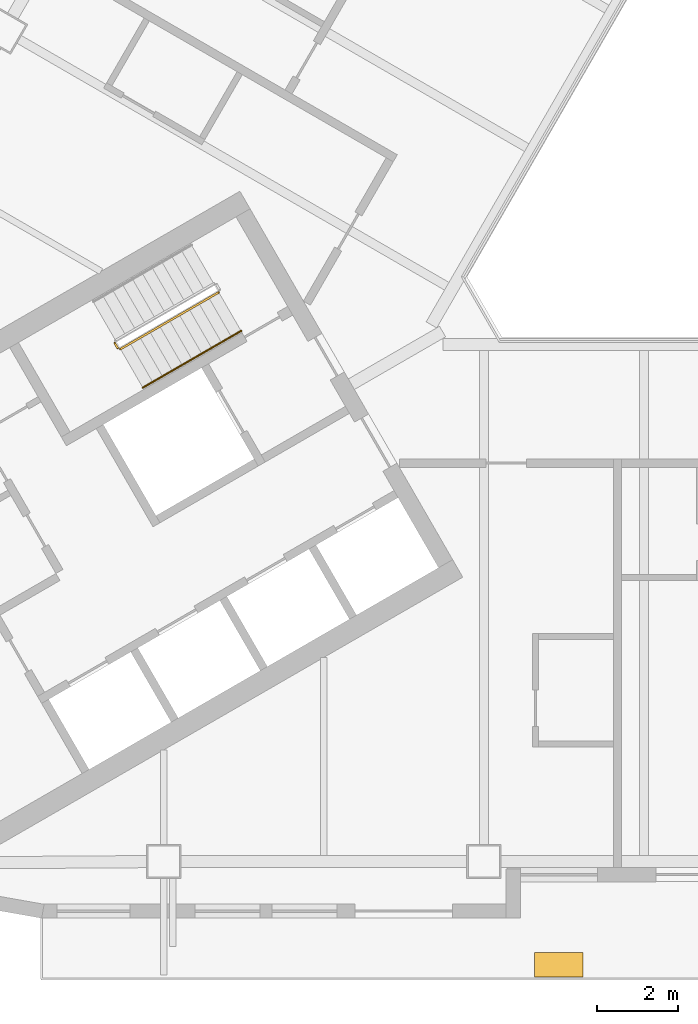
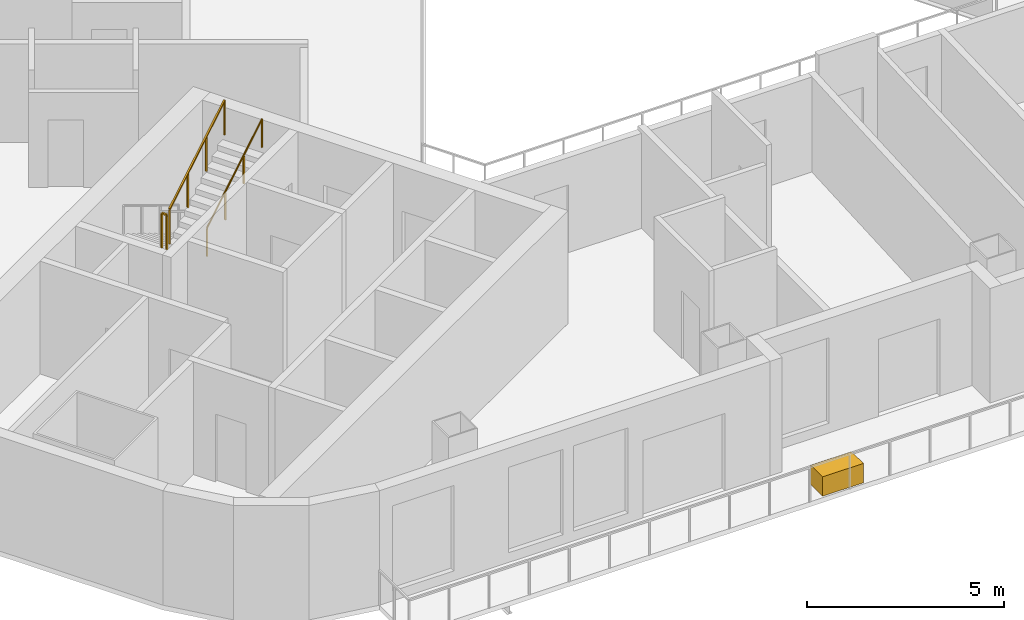
# One storey, part 9 of 14: 3 railings, 1 covering.
"""IFC4 building model written with IfcOpenShell, lengths in metres."""

from ifc_helpers import new_model, si_unit, direction, frame, origin, origin_2d, place, context, subcontext, project, spatial, rectangle, circle, extrude, material, type_object, element, save


model = new_model("IFC4")

# Units and contexts
model_context = context("Model", 3, precision=1e-05, world=origin(), true_north=direction((0.0, 1.0)))
body_context = subcontext(model_context, "Body", "Model", "MODEL_VIEW")
ifc_project = project(units=[si_unit("LENGTHUNIT", "METRE"), si_unit("AREAUNIT", "SQUARE_METRE"), si_unit("VOLUMEUNIT", "CUBIC_METRE"), si_unit("PLANEANGLEUNIT", "RADIAN"), si_unit("MASSUNIT", "GRAM", prefix="KILO")], contexts=[model_context])

# Site, building, storey
site_placement = place(None, origin())
site = spatial("IfcSite", under=ifc_project, at=site_placement, CompositionType="ELEMENT")
building_placement = place(site_placement, origin())
building = spatial("IfcBuilding", under=site, at=building_placement, Name="Apuvela Tower Hotel", CompositionType="ELEMENT")
storey_placement = place(building_placement, frame((0.0, 0.0, 157.699951171875)))
storey = spatial("IfcBuildingStorey", under=building, at=storey_placement, Name="L37", CompositionType="ELEMENT", Elevation=157.699951171875)

# Railings
ifc_material_1 = material(Name="Steel S275 balustrade", Category="steel")
railing_type_1 = type_object("IfcRailingType", Name="COR-GUARD-1100", PredefinedType="GUARDRAIL", material=ifc_material_1)
railing_1_placement = place(storey_placement, frame((-17.01220703125, -5.43408203125, 1.85009765625)))
element("IfcRailing", 1, at=railing_1_placement, inside=storey, type_object=railing_type_1, Name="L37 ST2 stair guard 2", PredefinedType="GUARDRAIL", context=body_context, shape_type="SweptSolid", body=[
    extrude(rectangle(XDim=0.048095703125, YDim=0.048095703125, at=origin_2d()), frame((0.0, 0.0, 1.076171875), z_axis=(0.499816412211, -0.866131372301, 0.0), x_axis=(0.866131372301, 0.499816412211, 0.0)), (0.0, 0.0, 1.0), 0.14990234375),
    extrude(rectangle(XDim=0.0419921875, YDim=0.0419921875, at=origin_2d()), origin(), (0.0, 0.0, 1.0), 1.052001953125),
    extrude(rectangle(XDim=0.0419921875, YDim=0.0419921875, at=origin_2d()), frame((0.074951171875, -0.1298828125, 0.0)), (0.0, 0.0, 1.0), 1.052001953125),
])
railing_2_placement = place(storey_placement, frame((-16.868896484375, -5.582275390625, 2.018310546875)))
element("IfcRailing", 2, at=railing_2_placement, inside=storey, type_object=railing_type_1, Name="L37 ST2 stair guard 3", PredefinedType="GUARDRAIL", context=body_context, shape_type="SweptSolid", body=[
    extrude(rectangle(XDim=0.048095703125, YDim=0.048095703125, at=origin_2d()), frame((0.0, 0.0, 1.076171875), z_axis=(0.74241905619, 0.428617687091, 0.514879426), x_axis=(-0.49998411664, 0.866034573852, 0.0)), (0.0, 0.0, 1.0), 3.26611328125),
    extrude(rectangle(XDim=0.0419921875, YDim=0.0419921875, at=origin_2d()), origin(), (0.0, 0.0, 1.0), 1.052001953125),
    extrude(rectangle(XDim=0.0419921875, YDim=0.0419921875, at=origin_2d()), frame((0.808349609375, 0.466552734375, 0.560546875)), (0.0, 0.0, 1.0), 1.052001953125),
    extrude(rectangle(XDim=0.0419921875, YDim=0.0419921875, at=origin_2d()), frame((1.616455078125, 0.933349609375, 1.12109375)), (0.0, 0.0, 1.0), 1.052001953125),
    extrude(rectangle(XDim=0.0419921875, YDim=0.0419921875, at=origin_2d()), frame((2.4248046875, 1.39990234375, 1.681640625)), (0.0, 0.0, 1.0), 1.052001953125),
])
ifc_material_2 = material(Name="Stainless steel 316 handrail", Category="steel")
railing_type_2 = type_object("IfcRailingType", Name="COR-HANDRAIL-900", PredefinedType="HANDRAIL", material=ifc_material_2)
railing_3_placement = place(storey_placement, frame((-16.31884765625, -6.534912109375, 2.018310546875)))
element("IfcRailing", 3, at=railing_3_placement, inside=storey, type_object=railing_type_2, Name="L37 ST2 stair handrail 2", PredefinedType="HANDRAIL", context=body_context, shape_type="SweptSolid", body=[
    extrude(circle(Radius=0.02392578125, at=origin_2d()), frame((0.0, 0.0, 0.8759765625), z_axis=(0.74241905619, 0.428617687091, 0.514879426), x_axis=(-0.49998411664, 0.866034573852, 0.0)), (0.0, 0.0, 1.0), 3.26611328125),
    extrude(rectangle(XDim=0.0419921875, YDim=0.0419921875, at=origin_2d()), origin(), (0.0, 0.0, 1.0), 0.851806640625),
    extrude(rectangle(XDim=0.0419921875, YDim=0.0419921875, at=origin_2d()), frame((0.808349609375, 0.466552734375, 0.560546875)), (0.0, 0.0, 1.0), 0.851806640625),
    extrude(rectangle(XDim=0.0419921875, YDim=0.0419921875, at=origin_2d()), frame((1.616455078125, 0.933349609375, 1.12109375)), (0.0, 0.0, 1.0), 0.851806640625),
    extrude(rectangle(XDim=0.0419921875, YDim=0.0419921875, at=origin_2d()), frame((2.4248046875, 1.39990234375, 1.681640625)), (0.0, 0.0, 1.0), 0.851806640625),
])

# Covering
ifc_material_3 = material(Name="Planting substrate and soil, planted")
covering_type = type_object("IfcCoveringType", Name="ENV-PLANTER-1200x600", PredefinedType="USERDEFINED", material=ifc_material_3)
covering_placement = place(storey_placement, frame((-6.049560546875, -20.780029296875, 0.0), z_axis=(0.0, 0.0, 1.0), x_axis=(1.0, 0.0, 0.0)))
element("IfcCovering", 4, at=covering_placement, inside=storey, type_object=covering_type, Name="Planter S1", ObjectType="PLANTER", PredefinedType="USERDEFINED", context=body_context, shape_type="SweptSolid", body=[
    extrude(rectangle(XDim=1.199951171875, YDim=0.60009765625, at=origin_2d()), origin(), (0.0, 0.0, 1.0), 0.60009765625),
])

save(model, "model.ifc")
